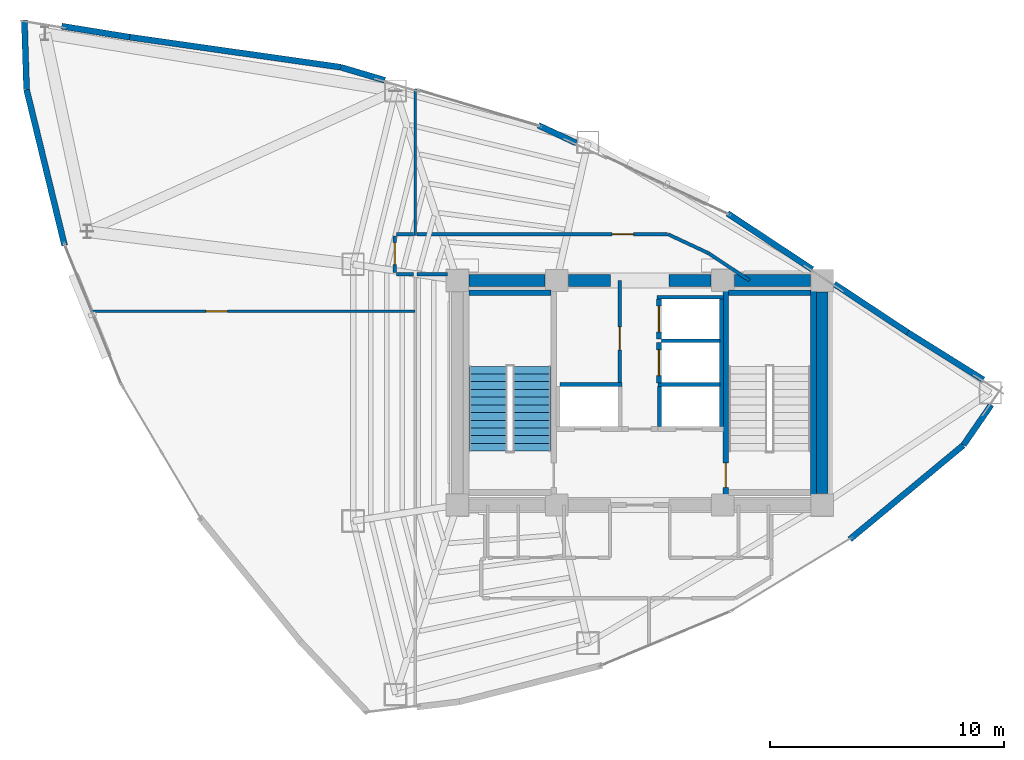
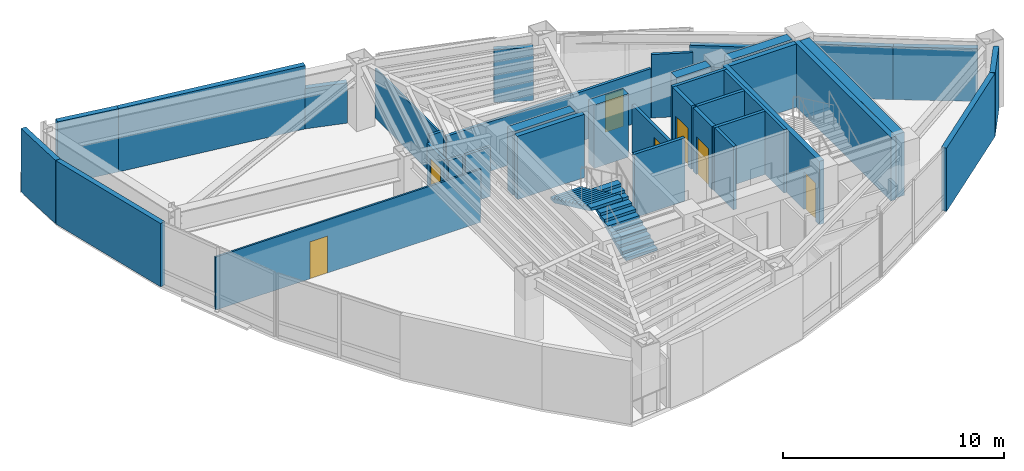
# One storey, part 13 of 16: 38 walls, 7 doors, 2 stair flights, 7 openings, 1 element without a shape of its own.
"""IFC4 building model written with IfcOpenShell, lengths in metres."""

from ifc_helpers import new_model, si_unit, direction, frame, frame_2d, origin, place, context, subcontext, project, spatial, polyline, rectangle, outline, extrude, material, layer, layer_set, type_object, element, fill, aggregate, save


model = new_model("IFC4")

# Units and contexts
model_context = context("Model", 3, precision=1e-05, world=origin(), true_north=direction((0.0, 1.0)))
body_context = subcontext(model_context, "Body", "Model", "MODEL_VIEW")
ifc_project = project(units=[si_unit("LENGTHUNIT", "METRE"), si_unit("AREAUNIT", "SQUARE_METRE"), si_unit("VOLUMEUNIT", "CUBIC_METRE"), si_unit("PLANEANGLEUNIT", "RADIAN"), si_unit("MASSUNIT", "GRAM", prefix="KILO")], contexts=[model_context])

# Site, building, storey
site_placement = place(None, origin())
site = spatial("IfcSite", under=ifc_project, at=site_placement, CompositionType="ELEMENT")
building_placement = place(site_placement, origin())
building = spatial("IfcBuilding", under=site, at=building_placement, Name="Menara Vayukalpa", CompositionType="ELEMENT")
storey_placement = place(building_placement, frame((0.0, 0.0, 198.9599609375)))
storey = spatial("IfcBuildingStorey", under=building, at=storey_placement, Name="L50", CompositionType="ELEMENT", Elevation=198.9599609375)

# Walls
ifc_material_1 = material(Name="Concrete C60/75", Category="concrete")
ifc_layer_1 = layer(ifc_material_1, 0.5)
ifc_layer_set_1 = layer_set([ifc_layer_1], Name="Concrete C60/75")
wall_type_1 = type_object("IfcWallType", Name="WAL-CW500", PredefinedType="SHEAR", material=ifc_layer_set_1)
wall_1_placement = place(storey_placement, frame((18.294921875, 26.800048828125, 0.0), z_axis=(0.0, 0.0, 1.0), x_axis=(1.0, 0.0, 0.0)))
element("IfcWall", 1, at=wall_1_placement, inside=storey, type_object=wall_type_1, Name="L50 Buttressed Core Shear Wall CWN1", PredefinedType="SHEAR", context=body_context, shape_type="SweptSolid", body=[
    extrude(rectangle(XDim=3.260009765625, YDim=0.5, at=frame_2d((1.6298828125, 0.0))), origin(), (0.0, 0.0, 1.0), 3.5),
])
wall_2_placement = place(storey_placement, frame((22.544921875, 26.800048828125, 0.0), z_axis=(0.0, 0.0, 1.0), x_axis=(1.0, 0.0, 0.0)))
element("IfcWall", 2, at=wall_2_placement, inside=storey, type_object=wall_type_1, Name="L50 Buttressed Core Shear Wall CWN2", PredefinedType="SHEAR", context=body_context, shape_type="SweptSolid", body=[
    extrude(rectangle(XDim=1.80517578125, YDim=0.5, at=frame_2d((0.902587890625, 0.0))), origin(), (0.0, 0.0, 1.0), 3.5),
])
wall_3_placement = place(storey_placement, frame((26.85009765625, 26.800048828125, 0.0), z_axis=(0.0, 0.0, 1.0), x_axis=(1.0, 0.0, 0.0)))
element("IfcWall", 3, at=wall_3_placement, inside=storey, type_object=wall_type_1, Name="L50 Buttressed Core Shear Wall CWN3", PredefinedType="SHEAR", context=body_context, shape_type="SweptSolid", body=[
    extrude(rectangle(XDim=1.804931640625, YDim=0.5, at=frame_2d((0.90234375, 0.0))), origin(), (0.0, 0.0, 1.0), 3.5),
])
wall_4_placement = place(storey_placement, frame((29.64501953125, 26.800048828125, 0.0), z_axis=(0.0, 0.0, 1.0), x_axis=(1.0, 0.0, 0.0)))
element("IfcWall", 4, at=wall_4_placement, inside=storey, type_object=wall_type_1, Name="L50 Buttressed Core Shear Wall CWN4", PredefinedType="SHEAR", context=body_context, shape_type="SweptSolid", body=[
    extrude(rectangle(XDim=3.260009765625, YDim=0.5, at=frame_2d((1.6298828125, 0.0))), origin(), (0.0, 0.0, 1.0), 3.5),
])
wall_5_placement = place(storey_placement, frame((33.39990234375, 17.695068359375, 0.0), z_axis=(0.0, 0.0, 1.0), x_axis=(0.0, 1.0, 0.0)))
element("IfcWall", 5, at=wall_5_placement, inside=storey, type_object=wall_type_1, Name="L50 Buttressed Core Shear Wall CWE1", PredefinedType="SHEAR", context=body_context, shape_type="SweptSolid", body=[
    extrude(rectangle(XDim=8.60986328125, YDim=0.5, at=frame_2d((4.304931640625, 0.0))), origin(), (0.0, 0.0, 1.0), 3.5),
])
ifc_material_2 = material(Name="Insulated Precast Concrete C40/50", Category="concrete")
ifc_layer_2 = layer(ifc_material_2, 0.260009765625)
ifc_layer_set_2 = layer_set([ifc_layer_2], Name="Insulated Precast Concrete C40/50")
wall_type_2 = type_object("IfcWallType", Name="WAL-EXT260", PredefinedType="PARTITIONING", material=ifc_layer_set_2)
wall_6_placement = place(storey_placement, frame((40.629638671875, 21.484619140625, 0.0), z_axis=(0.0, 0.0, 1.0), x_axis=(-0.5675692026, -0.823325695129, 0.0)))
element("IfcWall", 6, at=wall_6_placement, inside=storey, type_object=wall_type_2, Name="L50 Perimeter Terracotta Pier Wall 01", PredefinedType="PARTITIONING", context=body_context, shape_type="SweptSolid", body=[
    extrude(rectangle(XDim=2.090576171875, YDim=0.260009765625, at=frame_2d((1.04541015625, 0.0))), origin(), (0.0, 0.0, 1.0), 3.5),
])
wall_7_placement = place(storey_placement, frame((37.043212890625, 24.581298828125, 0.0), z_axis=(0.0, 0.0, 1.0), x_axis=(0.848238223581, -0.529614875221, 0.0)))
element("IfcWall", 7, at=wall_7_placement, inside=storey, type_object=wall_type_2, Name="L50 Perimeter Terracotta Pier Wall 02", PredefinedType="PARTITIONING", context=body_context, shape_type="SweptSolid", body=[
    extrude(rectangle(XDim=3.828857421875, YDim=0.260009765625, at=frame_2d((1.91455078125, 0.0))), origin(), (0.0, 0.0, 1.0), 2.929931640625),
])
wall_8_placement = place(storey_placement, frame((33.914306640625, 26.6494140625, 0.0), z_axis=(0.0, 0.0, 1.0), x_axis=(0.834259642914, -0.55137178764, 0.0)))
element("IfcWall", 8, at=wall_8_placement, inside=storey, type_object=wall_type_2, Name="L50 Perimeter Terracotta Pier Wall 03", PredefinedType="PARTITIONING", context=body_context, shape_type="SweptSolid", body=[
    extrude(rectangle(XDim=3.7626953125, YDim=0.260009765625, at=frame_2d((1.88134765625, 0.0))), origin(), (0.0, 0.0, 1.0), 2.929931640625),
])
wall_9_placement = place(storey_placement, frame((29.3505859375, 29.665771484375, 0.0), z_axis=(0.0, 0.0, 1.0), x_axis=(0.834275733291, -0.551347441131, 0.0)))
element("IfcWall", 9, at=wall_9_placement, inside=storey, type_object=wall_type_2, Name="L50 Perimeter Terracotta Pier Wall 04", PredefinedType="PARTITIONING", context=body_context, shape_type="SweptSolid", body=[
    extrude(rectangle(XDim=4.34130859375, YDim=0.260009765625, at=frame_2d((2.170654296875, 0.0))), origin(), (0.0, 0.0, 1.0), 2.630126953125),
])
wall_10_placement = place(storey_placement, frame((21.263671875, 33.431396484375, 0.0), z_axis=(0.0, 0.0, 1.0), x_axis=(0.905741333912, -0.423830905011, 0.0)))
element("IfcWall", 10, at=wall_10_placement, inside=storey, type_object=wall_type_2, Name="L50 Perimeter Terracotta Pier Wall 06", PredefinedType="PARTITIONING", context=body_context, shape_type="SweptSolid", body=[
    extrude(rectangle(XDim=1.794921875, YDim=0.260009765625, at=frame_2d((0.8974609375, 0.0))), origin(), (0.0, 0.0, 1.0), 2.929931640625),
])
wall_11_placement = place(storey_placement, frame((12.810546875, 35.9169921875, 0.0), z_axis=(0.0, 0.0, 1.0), x_axis=(0.958874384412, -0.283830785713, 0.0)))
element("IfcWall", 11, at=wall_11_placement, inside=storey, type_object=wall_type_2, Name="L50 Perimeter Terracotta Pier Wall 08", PredefinedType="PARTITIONING", context=body_context, shape_type="SweptSolid", body=[
    extrude(rectangle(XDim=1.968994140625, YDim=0.260009765625, at=frame_2d((0.984375, 0.0))), origin(), (0.0, 0.0, 1.0), 2.22998046875),
])
wall_12_placement = place(storey_placement, frame((3.778564453125, 37.20263671875, 0.0), z_axis=(0.0, 0.0, 1.0), x_axis=(0.990020552325, -0.140923049832, 0.0)))
element("IfcWall", 12, at=wall_12_placement, inside=storey, type_object=wall_type_2, Name="L50 Perimeter Terracotta Pier Wall 09", PredefinedType="PARTITIONING", context=body_context, shape_type="SweptSolid", body=[
    extrude(rectangle(XDim=9.123046875, YDim=0.260009765625, at=frame_2d((4.5615234375, 0.0))), origin(), (0.0, 0.0, 1.0), 3.5),
])
wall_13_placement = place(storey_placement, frame((0.87939453125, 37.67236328125, 0.0), z_axis=(0.0, 0.0, 1.0), x_axis=(0.987124562888, -0.159953422419, 0.0)))
element("IfcWall", 13, at=wall_13_placement, inside=storey, type_object=wall_type_2, Name="L50 Perimeter Terracotta Pier Wall 10", PredefinedType="PARTITIONING", context=body_context, shape_type="SweptSolid", body=[
    extrude(rectangle(XDim=2.948974609375, YDim=0.260009765625, at=frame_2d((1.474609375, 0.0))), origin(), (0.0, 0.0, 1.0), 3.5),
])
wall_14_placement = place(storey_placement, frame((-0.6181640625, 34.962158203125, 0.0), z_axis=(0.0, 0.0, 1.0), x_axis=(-0.031896905061, 0.999491164267, 0.0)))
element("IfcWall", 14, at=wall_14_placement, inside=storey, type_object=wall_type_2, Name="L50 Perimeter Terracotta Pier Wall 11", PredefinedType="PARTITIONING", context=body_context, shape_type="SweptSolid", body=[
    extrude(rectangle(XDim=2.9697265625, YDim=0.260009765625, at=frame_2d((1.48486328125, 0.0))), origin(), (0.0, 0.0, 1.0), 3.5),
])
wall_15_placement = place(storey_placement, frame((1.007080078125, 28.293701171875, 0.0), z_axis=(0.0, 0.0, 1.0), x_axis=(-0.236844738969, 0.971547512797, 0.0)))
element("IfcWall", 15, at=wall_15_placement, inside=storey, type_object=wall_type_2, Name="L50 Perimeter Terracotta Pier Wall 12", PredefinedType="PARTITIONING", context=body_context, shape_type="SweptSolid", body=[
    extrude(rectangle(XDim=6.85888671875, YDim=0.260009765625, at=frame_2d((3.429443359375, 0.0))), origin(), (0.0, 0.0, 1.0), 3.5),
])
wall_16_placement = place(storey_placement, frame((39.43408203125, 19.753662109375, 0.0), z_axis=(0.0, 0.0, 1.0), x_axis=(-0.76976213846, -0.638330831304, 0.0)))
element("IfcWall", 16, at=wall_16_placement, inside=storey, type_object=wall_type_2, Name="L50 Perimeter Terracotta Pier Wall 21", PredefinedType="PARTITIONING", context=body_context, shape_type="SweptSolid", body=[
    extrude(rectangle(XDim=6.302734375, YDim=0.260009765625, at=frame_2d((3.1513671875, 0.0))), origin(), (0.0, 0.0, 1.0), 3.5),
])
ifc_material_3 = material(Name="Lightweight Concrete Blockwork C16/20", Category="masonry")
ifc_layer_3 = layer(ifc_material_3, 0.159912109375)
ifc_layer_set_3 = layer_set([ifc_layer_3], Name="Lightweight Concrete Blockwork C16/20")
wall_type_3 = type_object("IfcWallType", Name="WAL-FR150", PredefinedType="PARTITIONING", material=ifc_layer_set_3)
wall_17_placement = place(storey_placement, frame((22.179931640625, 22.344970703125, 0.0), z_axis=(0.0, 0.0, 1.0), x_axis=(1.0, 0.0, 0.0)))
element("IfcWall", 17, at=wall_17_placement, inside=storey, type_object=wall_type_3, Name="L50 Interior Partition IW-L50-SHM-W12", PredefinedType="PARTITIONING", context=body_context, shape_type="SweptSolid", body=[
    extrude(rectangle(XDim=2.650146484375, YDim=0.159912109375, at=frame_2d((1.3251953125, 0.0))), origin(), (0.0, 0.0, 1.0), 3.5),
])
wall_18_placement = place(storey_placement, frame((29.094970703125, 20.56005859375, 0.0), z_axis=(0.0, 0.0, 1.0), x_axis=(0.0, 1.0, 0.0)))
element("IfcWall", 18, at=wall_18_placement, inside=storey, type_object=wall_type_3, Name="L50 Interior Partition IW-L50-SHW-EE", PredefinedType="PARTITIONING", context=body_context, shape_type="SweptSolid", body=[
    extrude(rectangle(XDim=5.449951171875, YDim=0.159912109375, at=frame_2d((2.72509765625, 0.0))), origin(), (0.0, 0.0, 1.0), 3.5),
])
wall_19_placement = place(storey_placement, frame((26.445068359375, 20.56005859375, 0.0), z_axis=(0.0, 0.0, 1.0), x_axis=(0.0, 1.0, 0.0)))
element("IfcWall", 19, at=wall_19_placement, inside=storey, type_object=wall_type_3, Name="L50 Interior Partition IW-L50-SHW-E1W", PredefinedType="PARTITIONING", context=body_context, shape_type="SweptSolid", body=[
    extrude(rectangle(XDim=1.7099609375, YDim=0.159912109375, at=frame_2d((0.85498046875, 0.0))), origin(), (0.0, 0.0, 1.0), 3.5),
])
wall_20_placement = place(storey_placement, frame((26.3701171875, 22.344970703125, 0.0), z_axis=(0.0, 0.0, 1.0), x_axis=(1.0, 0.0, 0.0)))
element("IfcWall", 20, at=wall_20_placement, inside=storey, type_object=wall_type_3, Name="L50 Interior Partition IW-L50-SHM-E13", PredefinedType="PARTITIONING", context=body_context, shape_type="SweptSolid", body=[
    extrude(rectangle(XDim=2.64990234375, YDim=0.159912109375, at=frame_2d((1.324951171875, 0.0))), origin(), (0.0, 0.0, 1.0), 3.5),
])
wall_21_placement = place(storey_placement, frame((26.530029296875, 24.215087890625, 0.0), z_axis=(0.0, 0.0, 1.0), x_axis=(1.0, 0.0, 0.0)))
element("IfcWall", 21, at=wall_21_placement, inside=storey, type_object=wall_type_3, Name="L50 Interior Partition IW-L50-SHM-E32", PredefinedType="PARTITIONING", context=body_context, shape_type="SweptSolid", body=[
    extrude(rectangle(XDim=2.489990234375, YDim=0.159912109375, at=frame_2d((1.2451171875, 0.0))), origin(), (0.0, 0.0, 1.0), 3.5),
])
wall_22_placement = place(storey_placement, frame((26.340087890625, 26.0849609375, 0.0), z_axis=(0.0, 0.0, 1.0), x_axis=(1.0, 0.0, 0.0)))
element("IfcWall", 22, at=wall_22_placement, inside=storey, type_object=wall_type_3, Name="L50 Interior Partition IW-L50-SHM-E2N", PredefinedType="PARTITIONING", context=body_context, shape_type="SweptSolid", body=[
    extrude(rectangle(XDim=2.829833984375, YDim=0.159912109375, at=frame_2d((1.4150390625, 0.0))), origin(), (0.0, 0.0, 1.0), 3.5),
])

# Wall, opening, door
wall_23_placement = place(storey_placement, frame((24.739990234375, 22.429931640625, 0.0), z_axis=(0.0, 0.0, 1.0), x_axis=(0.0, 1.0, 0.0)))
wall_23 = element("IfcWall", 23, at=wall_23_placement, inside=storey, type_object=wall_type_3, Name="L50 Interior Partition IW-L50-LV7W", PredefinedType="PARTITIONING", context=body_context, shape_type="SweptSolid", body=[
    extrude(rectangle(XDim=4.3701171875, YDim=0.159912109375, at=frame_2d((2.18505859375, 0.0))), origin(), (0.0, 0.0, 1.0), 2.630126953125),
])
opening_1_placement = place(wall_23_placement, frame((1.39990234375, 0.0, 0.0)))
opening_1 = element("IfcOpeningElement", 24, at=opening_1_placement, cuts=wall_23, Name="Opening ID3", PredefinedType="OPENING", context=body_context, shape_type="SweptSolid", body=[
    extrude(rectangle(XDim=0.97998046875, YDim=2.06005859375, at=frame_2d((0.489990234375, 1.030029296875))), frame((0.0, 0.08984375, 0.0), z_axis=(0.0, -1.0, 0.0), x_axis=(1.0, 0.0, 0.0)), (0.0, 0.0, 1.0), 0.179931640625),
])
ifc_material_4 = material(Name="Fire-Rated Powder-Coated Steel Door", Category="steel")
door_type_1 = type_object("IfcDoorType", Name="DR-FD60", OperationType="NOTDEFINED", PredefinedType="DOOR", material=ifc_material_4)
door_1_placement = place(opening_1_placement, origin())
door_1 = element("IfcDoor", 25, at=door_1_placement, inside=storey, type_object=door_type_1, Name="L50 Interior Door DR-L50-LV7W", OperationType="SINGLE_SWING_LEFT", OverallHeight=2.06005859375, OverallWidth=0.97998046875, PredefinedType="DOOR", context=body_context, shape_type="SweptSolid", body=[
    extrude(rectangle(XDim=0.97998046875, YDim=2.06005859375, at=frame_2d((0.489990234375, 1.030029296875))), frame((0.0, 0.02490234375, 0.0), z_axis=(0.0, -1.0, 0.0), x_axis=(1.0, 0.0, 0.0)), (0.0, 0.0, 1.0), 0.050048828125),
])
fill(opening_1, door_1)

ifc_material_5 = material(Name="Lightweight Concrete Blockwork C16/20", Category="masonry")
ifc_layer_4 = layer(ifc_material_5, 0.199951171875)
ifc_layer_set_4 = layer_set([ifc_layer_4], Name="Lightweight Concrete Blockwork C16/20")
wall_type_4 = type_object("IfcWallType", Name="WAL-FR200", PredefinedType="PARTITIONING", material=ifc_layer_set_4)
wall_24_placement = place(storey_placement, frame((26.419921875, 22.419921875, 0.0), z_axis=(0.0, 0.0, 1.0), x_axis=(0.0, 1.0, 0.0)))
wall_24 = element("IfcWall", 26, at=wall_24_placement, inside=storey, type_object=wall_type_4, Name="L50 Interior Partition IW-L50-SH-E3", PredefinedType="PARTITIONING", context=body_context, shape_type="SweptSolid", body=[
    extrude(rectangle(XDim=1.719970703125, YDim=0.199951171875, at=frame_2d((0.85986328125, 0.0))), origin(), (0.0, 0.0, 1.0), 3.5),
])
opening_2_placement = place(wall_24_placement, frame((0.31005859375, 0.0, 0.0)))
opening_2 = element("IfcOpeningElement", 27, at=opening_2_placement, cuts=wall_24, Name="Opening LD1", PredefinedType="OPENING", context=body_context, shape_type="SweptSolid", body=[
    extrude(rectangle(XDim=1.10009765625, YDim=2.080078125, at=frame_2d((0.550048828125, 1.0400390625))), frame((0.0, 0.10986328125, 0.0), z_axis=(0.0, -1.0, 0.0), x_axis=(1.0, 0.0, 0.0)), (0.0, 0.0, 1.0), 0.219970703125),
])
ifc_material_6 = material(Name="Brushed Stainless Steel 316 Lift Door", Category="steel")
door_type_2 = type_object("IfcDoorType", Name="DR-LD110", OperationType="NOTDEFINED", PredefinedType="DOOR", material=ifc_material_6)
door_2_placement = place(opening_2_placement, origin())
door_2 = element("IfcDoor", 28, at=door_2_placement, inside=storey, type_object=door_type_2, Name="L50 Interior Door DR-L50-LD-E3", OperationType="DOUBLE_DOOR_SLIDING", OverallHeight=2.080078125, OverallWidth=1.10009765625, PredefinedType="DOOR", context=body_context, shape_type="SweptSolid", body=[
    extrude(rectangle(XDim=1.10009765625, YDim=2.080078125, at=frame_2d((0.550048828125, 1.0400390625))), frame((0.0, 0.02490234375, 0.0), z_axis=(0.0, -1.0, 0.0), x_axis=(1.0, 0.0, 0.0)), (0.0, 0.0, 1.0), 0.050048828125),
])
fill(opening_2, door_2)

wall_25_placement = place(storey_placement, frame((26.419921875, 24.2900390625, 0.0), z_axis=(0.0, 0.0, 1.0), x_axis=(0.0, 1.0, 0.0)))
wall_25 = element("IfcWall", 29, at=wall_25_placement, inside=storey, type_object=wall_type_4, Name="L50 Interior Partition IW-L50-SH-E2", PredefinedType="PARTITIONING", context=body_context, shape_type="SweptSolid", body=[
    extrude(rectangle(XDim=1.719970703125, YDim=0.199951171875, at=frame_2d((0.85986328125, 0.0))), origin(), (0.0, 0.0, 1.0), 3.5),
])
opening_3_placement = place(wall_25_placement, frame((0.31005859375, 0.0, 0.0)))
opening_3 = element("IfcOpeningElement", 30, at=opening_3_placement, cuts=wall_25, Name="Opening LD1", PredefinedType="OPENING", context=body_context, shape_type="SweptSolid", body=[
    extrude(rectangle(XDim=1.10009765625, YDim=2.080078125, at=frame_2d((0.550048828125, 1.0400390625))), frame((0.0, 0.10986328125, 0.0), z_axis=(0.0, -1.0, 0.0), x_axis=(1.0, 0.0, 0.0)), (0.0, 0.0, 1.0), 0.219970703125),
])
door_3_placement = place(opening_3_placement, origin())
door_3 = element("IfcDoor", 31, at=door_3_placement, inside=storey, type_object=door_type_2, Name="L50 Interior Door DR-L50-LD-E2", OperationType="DOUBLE_DOOR_SLIDING", OverallHeight=2.080078125, OverallWidth=1.10009765625, PredefinedType="DOOR", context=body_context, shape_type="SweptSolid", body=[
    extrude(rectangle(XDim=1.10009765625, YDim=2.080078125, at=frame_2d((0.550048828125, 1.0400390625))), frame((0.0, 0.02490234375, 0.0), z_axis=(0.0, -1.0, 0.0), x_axis=(1.0, 0.0, 0.0)), (0.0, 0.0, 1.0), 0.050048828125),
])
fill(opening_3, door_3)

# Wall
ifc_material_7 = material(Name="Glazed Demountable Office Partition", Category="glass")
ifc_layer_5 = layer(ifc_material_7, 0.094970703125)
ifc_layer_set_5 = layer_set([ifc_layer_5], Name="Glazed Demountable Office Partition")
wall_type_5 = type_object("IfcWallType", Name="WAL-PT100", PredefinedType="PARTITIONING", material=ifc_layer_set_5)
wall_26_placement = place(storey_placement, frame((16.0, 28.72998046875, 0.0), z_axis=(0.0, 0.0, 1.0), x_axis=(0.0, 1.0, 0.0)))
element("IfcWall", 32, at=wall_26_placement, inside=storey, type_object=wall_type_5, Name="L50 Interior Partition IW-L50-RDIV02", PredefinedType="PARTITIONING", context=body_context, shape_type="SweptSolid", body=[
    extrude(rectangle(XDim=6.253173828125, YDim=0.094970703125, at=frame_2d((3.12646484375, 0.0))), origin(), (0.0, 0.0, 1.0), 2.72998046875),
])

# Wall, opening, door
wall_27_placement = place(storey_placement, frame((2.123291015625, 25.4794921875, 0.0), z_axis=(0.0, 0.0, 1.0), x_axis=(1.0, 0.0, 0.0)))
wall_27 = element("IfcWall", 33, at=wall_27_placement, inside=storey, type_object=wall_type_5, Name="L50 Interior Partition IW-L50-RDIV04", PredefinedType="PARTITIONING", context=body_context, shape_type="SweptSolid", body=[
    extrude(rectangle(XDim=13.86669921875, YDim=0.094970703125, at=frame_2d((6.933349609375, 0.0))), origin(), (0.0, 0.0, 1.0), 2.929931640625),
])
opening_4_placement = place(wall_27_placement, frame((4.925048828125, 0.0, 0.0)))
opening_4 = element("IfcOpeningElement", 34, at=opening_4_placement, cuts=wall_27, Name="Opening ID6", PredefinedType="OPENING", context=body_context, shape_type="SweptSolid", body=[
    extrude(rectangle(XDim=0.919921875, YDim=2.050048828125, at=frame_2d((0.4599609375, 1.02490234375))), frame((0.0, 0.057373046875, 0.0), z_axis=(0.0, -1.0, 0.0), x_axis=(1.0, 0.0, 0.0)), (0.0, 0.0, 1.0), 0.114990234375),
])
ifc_material_8 = material(Name="Acoustic Hardwood Veneer Timber Door", Category="wood")
door_type_3 = type_object("IfcDoorType", Name="DR-INT92", OperationType="NOTDEFINED", PredefinedType="DOOR", material=ifc_material_8)
door_4_placement = place(opening_4_placement, origin())
door_4 = element("IfcDoor", 35, at=door_4_placement, inside=storey, type_object=door_type_3, Name="L50 Interior Door DR-L50-STE01", OperationType="SINGLE_SWING_LEFT", OverallHeight=2.050048828125, OverallWidth=0.919921875, PredefinedType="DOOR", context=body_context, shape_type="SweptSolid", body=[
    extrude(rectangle(XDim=0.919921875, YDim=2.050048828125, at=frame_2d((0.4599609375, 1.02490234375))), frame((0.0, 0.02490234375, 0.0), z_axis=(0.0, -1.0, 0.0), x_axis=(1.0, 0.0, 0.0)), (0.0, 0.0, 1.0), 0.050048828125),
])
fill(opening_4, door_4)

# Walls
ifc_material_9 = material(Name="Gypsum Drywall Acoustic Stud Assembly", Category="masonry")
ifc_layer_6 = layer(ifc_material_9, 0.14501953125)
ifc_layer_set_6 = layer_set([ifc_layer_6], Name="Gypsum Drywall Acoustic Stud Assembly")
wall_type_6 = type_object("IfcWallType", Name="WAL-PT150", PredefinedType="PARTITIONING", material=ifc_layer_set_6)
wall_28_placement = place(storey_placement, frame((16.070068359375, 27.06005859375, 0.0), z_axis=(0.0, 0.0, 1.0), x_axis=(1.0, 0.0, 0.0)))
element("IfcWall", 36, at=wall_28_placement, inside=storey, type_object=wall_type_6, Name="L50 Interior Partition IW-L50-CRM02-1", PredefinedType="PARTITIONING", context=body_context, shape_type="SweptSolid", body=[
    extrude(rectangle(XDim=1.309814453125, YDim=0.14501953125, at=frame_2d((0.65478515625, 0.0))), origin(), (0.0, 0.0, 1.0), 2.72998046875),
])
wall_29_placement = place(storey_placement, frame((30.295166015625, 26.800048828125, 0.0), z_axis=(0.0, 0.0, 1.0), x_axis=(-0.834281274053, 0.551339056992, 0.0)))
element("IfcWall", 37, at=wall_29_placement, inside=storey, type_object=wall_type_6, Name="L50 Interior Partition IW-L50-CRM04-1", PredefinedType="PARTITIONING", context=body_context, shape_type="SweptSolid", body=[
    extrude(rectangle(XDim=2.114990234375, YDim=0.14501953125, at=frame_2d((1.0576171875, 0.0))), origin(), (0.0, 0.0, 1.0), 2.630126953125),
])
wall_30_placement = place(storey_placement, frame((28.5205078125, 27.971923828125, 0.0), z_axis=(0.0, 0.0, 1.0), x_axis=(-0.905803144329, 0.423698788909, 0.0)))
element("IfcWall", 38, at=wall_30_placement, inside=storey, type_object=wall_type_6, Name="L50 Interior Partition IW-L50-CRM04-2", PredefinedType="PARTITIONING", context=body_context, shape_type="SweptSolid", body=[
    extrude(rectangle(XDim=1.889404296875, YDim=0.14501953125, at=frame_2d((0.94482421875, 0.0))), origin(), (0.0, 0.0, 1.0), 3.5),
])

# Wall, opening, door
wall_31_placement = place(storey_placement, frame((26.775390625, 28.780029296875, 0.0), z_axis=(0.0, 0.0, 1.0), x_axis=(-1.0, 0.0, 0.0)))
wall_31 = element("IfcWall", 39, at=wall_31_placement, inside=storey, type_object=wall_type_6, Name="L50 Interior Partition IW-L50-CRM04-3", PredefinedType="PARTITIONING", context=body_context, shape_type="SweptSolid", body=[
    extrude(rectangle(XDim=10.705322265625, YDim=0.14501953125, at=frame_2d((5.3525390625, 0.0))), origin(), (0.0, 0.0, 1.0), 2.72998046875),
])
opening_5_placement = place(wall_31_placement, frame((1.43310546875, 0.0, 0.0)))
opening_5 = element("IfcOpeningElement", 40, at=opening_5_placement, cuts=wall_31, Name="Opening ID6", PredefinedType="OPENING", context=body_context, shape_type="SweptSolid", body=[
    extrude(rectangle(XDim=0.919921875, YDim=2.050048828125, at=frame_2d((0.4599609375, 1.02490234375))), frame((0.0, 0.08251953125, 0.0), z_axis=(0.0, -1.0, 0.0), x_axis=(1.0, 0.0, 0.0)), (0.0, 0.0, 1.0), 0.1650390625),
])
door_5_placement = place(opening_5_placement, origin())
door_5 = element("IfcDoor", 41, at=door_5_placement, inside=storey, type_object=door_type_3, Name="L50 Interior Door DR-L50-RM04", OperationType="SINGLE_SWING_LEFT", OverallHeight=2.050048828125, OverallWidth=0.919921875, PredefinedType="DOOR", context=body_context, shape_type="SweptSolid", body=[
    extrude(rectangle(XDim=0.919921875, YDim=2.050048828125, at=frame_2d((0.4599609375, 1.02490234375))), frame((0.0, 0.02490234375, 0.0), z_axis=(0.0, -1.0, 0.0), x_axis=(1.0, 0.0, 0.0)), (0.0, 0.0, 1.0), 0.050048828125),
])
fill(opening_5, door_5)

# Wall
wall_32_placement = place(storey_placement, frame((15.929931640625, 28.780029296875, 0.0), z_axis=(0.0, 0.0, 1.0), x_axis=(-1.0, 0.0, 0.0)))
element("IfcWall", 42, at=wall_32_placement, inside=storey, type_object=wall_type_6, Name="L50 Interior Partition IW-L50-CRM05-1", PredefinedType="PARTITIONING", context=body_context, shape_type="SweptSolid", body=[
    extrude(rectangle(XDim=0.72998046875, YDim=0.14501953125, at=frame_2d((0.364990234375, 0.0))), origin(), (0.0, 0.0, 1.0), 3.080078125),
])

# Wall, opening, door
wall_33_placement = place(storey_placement, frame((15.1201171875, 28.699951171875, 0.0), z_axis=(0.0, 0.0, 1.0), x_axis=(0.0, -1.0, 0.0)))
wall_33 = element("IfcWall", 43, at=wall_33_placement, inside=storey, type_object=wall_type_6, Name="L50 Interior Partition IW-L50-CRM05-2", PredefinedType="PARTITIONING", context=body_context, shape_type="SweptSolid", body=[
    extrude(rectangle(XDim=1.56005859375, YDim=0.14501953125, at=frame_2d((0.780029296875, 0.0))), origin(), (0.0, 0.0, 1.0), 2.72998046875),
])
opening_6_placement = place(wall_33_placement, frame((0.280029296875, 0.0, 0.0)))
opening_6 = element("IfcOpeningElement", 44, at=opening_6_placement, cuts=wall_33, Name="Opening ID5", PredefinedType="OPENING", context=body_context, shape_type="SweptSolid", body=[
    extrude(rectangle(XDim=0.949951171875, YDim=2.06005859375, at=frame_2d((0.47509765625, 1.030029296875))), frame((0.0, 0.08251953125, 0.0), z_axis=(0.0, -1.0, 0.0), x_axis=(1.0, 0.0, 0.0)), (0.0, 0.0, 1.0), 0.1650390625),
])
ifc_material_10 = material(Name="Acoustic Hardwood Veneer Timber Door", Category="wood")
door_type_4 = type_object("IfcDoorType", Name="DR-INT95", OperationType="NOTDEFINED", PredefinedType="DOOR", material=ifc_material_10)
door_6_placement = place(opening_6_placement, origin())
door_6 = element("IfcDoor", 45, at=door_6_placement, inside=storey, type_object=door_type_4, Name="L50 Interior Door DR-L50-RM05", OperationType="SINGLE_SWING_RIGHT", OverallHeight=2.06005859375, OverallWidth=0.949951171875, PredefinedType="DOOR", context=body_context, shape_type="SweptSolid", body=[
    extrude(rectangle(XDim=0.949951171875, YDim=2.06005859375, at=frame_2d((0.47509765625, 1.030029296875))), frame((0.0, 0.02490234375, 0.0), z_axis=(0.0, -1.0, 0.0), x_axis=(1.0, 0.0, 0.0)), (0.0, 0.0, 1.0), 0.050048828125),
])
fill(opening_6, door_6)

# Walls
wall_34_placement = place(storey_placement, frame((15.199951171875, 27.06005859375, 0.0), z_axis=(0.0, 0.0, 1.0), x_axis=(1.0, 0.0, 0.0)))
element("IfcWall", 46, at=wall_34_placement, inside=storey, type_object=wall_type_6, Name="L50 Interior Partition IW-L50-CRM05-3", PredefinedType="PARTITIONING", context=body_context, shape_type="SweptSolid", body=[
    extrude(rectangle(XDim=0.72998046875, YDim=0.14501953125, at=frame_2d((0.364990234375, 0.0))), origin(), (0.0, 0.0, 1.0), 2.72998046875),
])
ifc_material_11 = material(Name="Concrete C50/60", Category="concrete")
ifc_layer_7 = layer(ifc_material_11, 0.25)
ifc_layer_set_7 = layer_set([ifc_layer_7], Name="Concrete C50/60")
wall_type_7 = type_object("IfcWallType", Name="WAL-SW250", PredefinedType="SHEAR", material=ifc_layer_set_7)
wall_35_placement = place(storey_placement, frame((18.303955078125, 26.27490234375, 0.0), z_axis=(0.0, 0.0, 1.0), x_axis=(1.0, 0.0, 0.0)))
element("IfcWall", 47, at=wall_35_placement, inside=storey, type_object=wall_type_7, Name="L50 ST1 Structural Stair Shaft Wall N", PredefinedType="SHEAR", context=body_context, shape_type="SweptSolid", body=[
    extrude(rectangle(XDim=3.49609375, YDim=0.25, at=frame_2d((1.748046875, 0.0))), origin(), (0.0, 0.0, 1.0), 3.5),
])

# Wall, opening, door
wall_36_placement = place(storey_placement, frame((29.27490234375, 17.60009765625, 0.0), z_axis=(0.0, 0.0, 1.0), x_axis=(0.0, 1.0, 0.0)))
wall_36 = element("IfcWall", 48, at=wall_36_placement, inside=storey, type_object=wall_type_7, Name="L50 ST2 Structural Stair Shaft Wall W", PredefinedType="SHEAR", context=body_context, shape_type="SweptSolid", body=[
    extrude(rectangle(XDim=8.7998046875, YDim=0.25, at=frame_2d((4.39990234375, 0.0))), origin(), (0.0, 0.0, 1.0), 3.5),
])
opening_7_placement = place(wall_36_placement, frame((0.35009765625, 0.0, 0.0)))
opening_7 = element("IfcOpeningElement", 49, at=opening_7_placement, cuts=wall_36, Name="Opening ID1", PredefinedType="OPENING", context=body_context, shape_type="SweptSolid", body=[
    extrude(rectangle(XDim=1.050048828125, YDim=2.080078125, at=frame_2d((0.52490234375, 1.0400390625))), frame((0.0, 0.135009765625, 0.0), z_axis=(0.0, -1.0, 0.0), x_axis=(1.0, 0.0, 0.0)), (0.0, 0.0, 1.0), 0.27001953125),
])
ifc_material_12 = material(Name="Fire-Rated Powder-Coated Steel Door", Category="steel")
door_type_5 = type_object("IfcDoorType", Name="DR-FD120", OperationType="NOTDEFINED", PredefinedType="DOOR", material=ifc_material_12)
door_7_placement = place(opening_7_placement, origin())
door_7 = element("IfcDoor", 50, at=door_7_placement, inside=storey, type_object=door_type_5, Name="L50 Stair Exit Door DR-L50-ST2", OperationType="SINGLE_SWING_RIGHT", OverallHeight=2.080078125, OverallWidth=1.050048828125, PredefinedType="DOOR", context=body_context, shape_type="SweptSolid", body=[
    extrude(rectangle(XDim=1.050048828125, YDim=2.080078125, at=frame_2d((0.52490234375, 1.0400390625))), frame((0.0, 0.02490234375, 0.0), z_axis=(0.0, -1.0, 0.0), x_axis=(1.0, 0.0, 0.0)), (0.0, 0.0, 1.0), 0.050048828125),
])
fill(opening_7, door_7)

# Walls
wall_37_placement = place(storey_placement, frame((33.02099609375, 17.60009765625, 0.0), z_axis=(0.0, 0.0, 1.0), x_axis=(0.0, 1.0, 0.0)))
element("IfcWall", 51, at=wall_37_placement, inside=storey, type_object=wall_type_7, Name="L50 ST2 Structural Stair Shaft Wall E", PredefinedType="SHEAR", context=body_context, shape_type="SweptSolid", body=[
    extrude(rectangle(XDim=8.7998046875, YDim=0.25, at=frame_2d((4.39990234375, 0.0))), origin(), (0.0, 0.0, 1.0), 3.5),
])
wall_38_placement = place(storey_placement, frame((29.39990234375, 26.27490234375, 0.0), z_axis=(0.0, 0.0, 1.0), x_axis=(1.0, 0.0, 0.0)))
element("IfcWall", 52, at=wall_38_placement, inside=storey, type_object=wall_type_7, Name="L50 ST2 Structural Stair Shaft Wall N", PredefinedType="SHEAR", context=body_context, shape_type="SweptSolid", body=[
    extrude(rectangle(XDim=3.49609375, YDim=0.25, at=frame_2d((1.748046875, 0.0))), origin(), (0.0, 0.0, 1.0), 3.5),
])

# Stair, stair flights
ifc_material_13 = material(Name="Precast Concrete C40/50", Category="concrete")
stair_type = type_object("IfcStairType", Name="STR-T04", PredefinedType="DOUBLE_RETURN_STAIR", material=ifc_material_13)
stair_placement = place(storey_placement, origin())
stair = element("IfcStair", 53, at=stair_placement, inside=storey, type_object=stair_type, Name="L50 Core Exit Stair ST-1", PredefinedType="DOUBLE_RETURN_STAIR")
ifc_material_14 = material(Name="Precast Concrete C40/50", Category="concrete")
stair_flight_type = type_object("IfcStairFlightType", Name="STF-T04", PredefinedType="STRAIGHT", material=ifc_material_14)
stair_flight_1_placement = place(storey_placement, frame((20.97509765625, 19.5, 0.0), z_axis=(0.0, 0.0, 1.0), x_axis=(0.0, 1.0, 0.0)))
stair_flight_1 = element("IfcStairFlight", 54, at=stair_flight_1_placement, type_object=stair_flight_type, Name="ST-1 flight 1", NumberOfRisers=12, NumberOfTreads=11, PredefinedType="STRAIGHT", RiserHeight=0.155, TreadLength=0.33, context=body_context, shape_type="SweptSolid", body=[
    extrude(outline(polyline([(0.0, 0.0), (0.0, 0.155029296875), (0.330078125, 0.155029296875), (0.330078125, 0.31005859375), (0.659912109375, 0.31005859375), (0.659912109375, 0.465087890625), (0.989990234375, 0.465087890625), (0.989990234375, 0.6201171875), (1.320068359375, 0.6201171875), (1.320068359375, 0.77490234375), (1.64990234375, 0.77490234375), (1.64990234375, 0.929931640625), (1.97998046875, 0.929931640625), (1.97998046875, 1.0849609375), (2.31005859375, 1.0849609375), (2.31005859375, 1.239990234375), (2.639892578125, 1.239990234375), (2.639892578125, 1.39501953125), (2.969970703125, 1.39501953125), (2.969970703125, 1.550048828125), (3.300048828125, 1.550048828125), (3.300048828125, 1.705078125), (3.6298828125, 1.705078125), (3.6298828125, 1.860107421875), (3.6298828125, 1.539306640625), (0.3525390625, 0.0), (0.0, 0.0)])), frame((0.0, 0.824951171875, 0.0), z_axis=(0.0, -1.0, 0.0), x_axis=(1.0, 0.0, 0.0)), (0.0, 0.0, 1.0), 1.64990234375),
])
stair_flight_2_placement = place(storey_placement, frame((19.125, 23.1298828125, 1.860107421875), z_axis=(0.0, 0.0, 1.0), x_axis=(0.0, -1.0, 0.0)))
stair_flight_2 = element("IfcStairFlight", 55, at=stair_flight_2_placement, type_object=stair_flight_type, Name="ST-1 flight 2", NumberOfRisers=12, NumberOfTreads=11, PredefinedType="STRAIGHT", RiserHeight=0.155, TreadLength=0.33, context=body_context, shape_type="SweptSolid", body=[
    extrude(outline(polyline([(0.0, 0.0), (0.0, 0.155029296875), (0.330078125, 0.155029296875), (0.330078125, 0.31005859375), (0.659912109375, 0.31005859375), (0.659912109375, 0.465087890625), (0.989990234375, 0.465087890625), (0.989990234375, 0.6201171875), (1.320068359375, 0.6201171875), (1.320068359375, 0.77490234375), (1.64990234375, 0.77490234375), (1.64990234375, 0.929931640625), (1.97998046875, 0.929931640625), (1.97998046875, 1.0849609375), (2.31005859375, 1.0849609375), (2.31005859375, 1.239990234375), (2.639892578125, 1.239990234375), (2.639892578125, 1.39501953125), (2.969970703125, 1.39501953125), (2.969970703125, 1.550048828125), (3.300048828125, 1.550048828125), (3.300048828125, 1.705078125), (3.6298828125, 1.705078125), (3.6298828125, 1.860107421875), (3.6298828125, 1.539306640625), (0.3525390625, 0.0), (0.0, 0.0)])), frame((0.0, 0.824951171875, 0.0), z_axis=(0.0, -1.0, 0.0), x_axis=(1.0, 0.0, 0.0)), (0.0, 0.0, 1.0), 1.64990234375),
])
aggregate(stair, [stair_flight_1, stair_flight_2])

save(model, "model.ifc")
